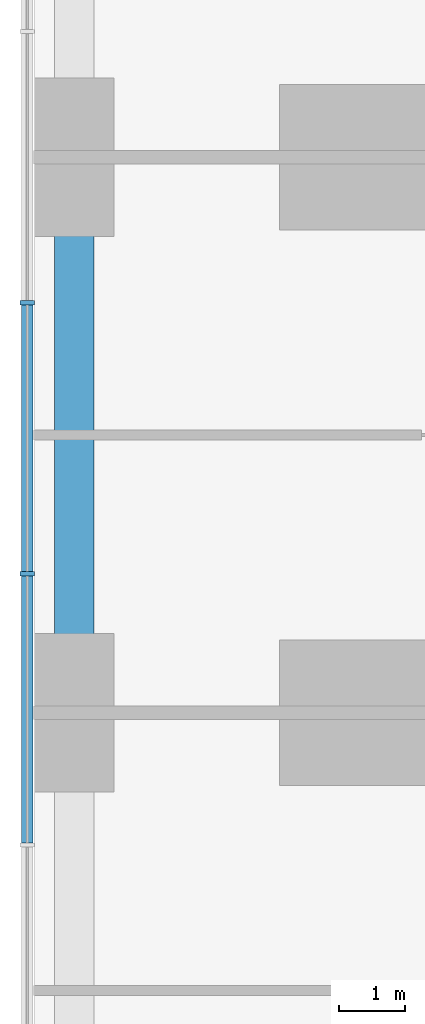
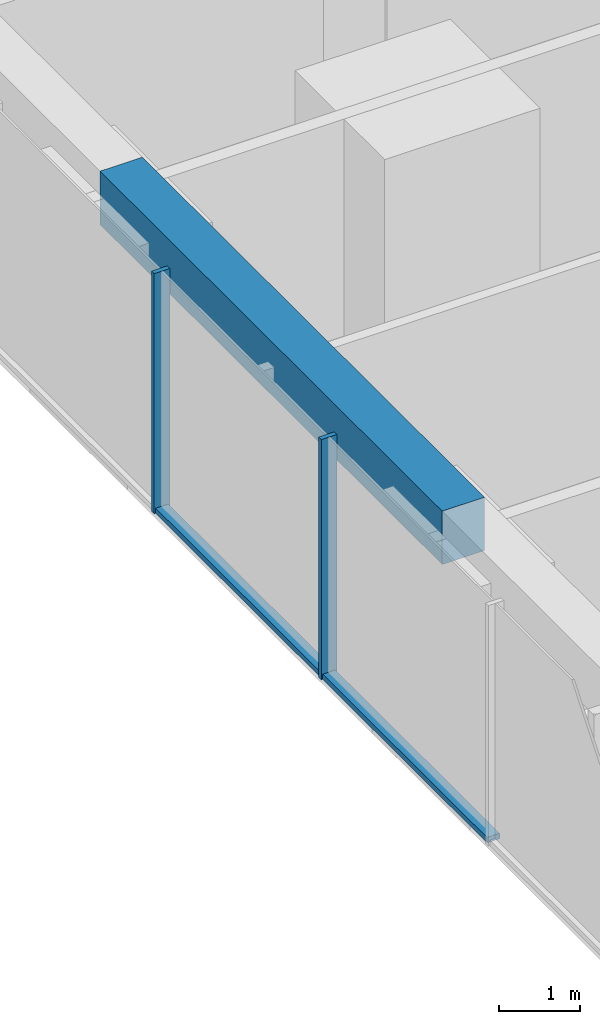
# One storey, part 3 of 16: 4 members, 1 beam, 1 element without a shape of its own.
"""IFC4 building model written with IfcOpenShell, lengths in metres."""

from ifc_helpers import new_model, si_unit, direction, frame, origin, origin_2d, place, context, subcontext, project, spatial, rectangle, extrude, material, material_profile, profile_set, type_object, element, aggregate, save


model = new_model("IFC4")

# Units and contexts
model_context = context("Model", 3, precision=1e-05, world=origin(), true_north=direction((0.0, 1.0)))
body_context = subcontext(model_context, "Body", "Model", "MODEL_VIEW")
ifc_project = project(units=[si_unit("LENGTHUNIT", "METRE"), si_unit("AREAUNIT", "SQUARE_METRE"), si_unit("VOLUMEUNIT", "CUBIC_METRE"), si_unit("PLANEANGLEUNIT", "RADIAN"), si_unit("MASSUNIT", "GRAM", prefix="KILO")], contexts=[model_context])

# Site, building, storey
site_placement = place(None, origin())
site = spatial("IfcSite", under=ifc_project, at=site_placement, CompositionType="ELEMENT")
building_placement = place(site_placement, origin())
building = spatial("IfcBuilding", under=site, at=building_placement, Name="Dunama Terrace Hotel", CompositionType="ELEMENT")
storey_placement = place(building_placement, frame((0.0, 0.0, 93.60009765625)))
storey = spatial("IfcBuildingStorey", under=building, at=storey_placement, Name="L23", CompositionType="ELEMENT", Elevation=93.60009765625)

# Curtain wall, members
ifc_material_1 = material(Name="Aluminium curtain wall system", Category="aluminium")
curtain_wall_type = type_object("IfcCurtainWallType", Name="Unitised fritted glass wall CW-B", PredefinedType="NOTDEFINED", material=ifc_material_1)
curtain_wall_placement = place(storey_placement, origin())
curtain_wall = element("IfcCurtainWall", 1, at=curtain_wall_placement, inside=storey, type_object=curtain_wall_type, Name="Unitised fritted glass wall CW-B L23", PredefinedType="NOTDEFINED")
ifc_material_2 = material(Name="Aluminium mullion", Category="aluminium")
ifc_material_profile_1 = material_profile(ifc_material_2, rectangle(XDim=0.06494140625, YDim=0.219970703125, at=origin_2d()), Name="CWB MULLION 65X220")
ifc_profile_set_1 = profile_set([ifc_material_profile_1], Name="Aluminium mullion")
member_type_1 = type_object("IfcMemberType", Name="CWB mullion 65x220", PredefinedType="MULLION", material=ifc_profile_set_1)
member_1_placement = place(storey_placement, frame((-0.110107421875, 31.39990234375, 0.0), z_axis=(0.0, 0.0, 1.0), x_axis=(0.0, -1.0, 0.0)))
member_1 = element("IfcMember", 2, at=member_1_placement, type_object=member_type_1, Name="CWB mullion", PredefinedType="MULLION", context=body_context, shape_type="SweptSolid", body=[
    extrude(rectangle(XDim=0.06494140625, YDim=0.219970703125, at=origin_2d()), origin(), (0.0, 0.0, 1.0), 3.599853515625),
])
member_2_placement = place(storey_placement, frame((-0.110107421875, 27.300048828125, 0.0), z_axis=(0.0, 0.0, 1.0), x_axis=(0.0, -1.0, 0.0)))
member_2 = element("IfcMember", 3, at=member_2_placement, type_object=member_type_1, Name="CWB mullion", PredefinedType="MULLION", context=body_context, shape_type="SweptSolid", body=[
    extrude(rectangle(XDim=0.06494140625, YDim=0.219970703125, at=origin_2d()), origin(), (0.0, 0.0, 1.0), 3.599853515625),
])
ifc_material_3 = material(Name="Aluminium transom", Category="aluminium")
ifc_material_profile_2 = material_profile(ifc_material_3, rectangle(XDim=0.179931640625, YDim=0.080078125, at=origin_2d()), Name="CWB TRANSOM 180X80")
ifc_profile_set_2 = profile_set([ifc_material_profile_2], Name="Aluminium transom")
member_type_2 = type_object("IfcMemberType", Name="CWB transom 180x80", PredefinedType="USERDEFINED", material=ifc_profile_set_2)
member_3_placement = place(storey_placement, frame((-0.110107421875, 31.366943359375, 0.039794921875), z_axis=(0.0, -1.0, 0.0), x_axis=(1.0, 0.0, 0.0)))
member_3 = element("IfcMember", 4, at=member_3_placement, type_object=member_type_2, Name="CWB transom", ObjectType="TRANSOM", PredefinedType="USERDEFINED", context=body_context, shape_type="SweptSolid", body=[
    extrude(rectangle(XDim=0.179931640625, YDim=0.080078125, at=origin_2d()), origin(), (0.0, 0.0, 1.0), 4.034912109375),
])
member_4_placement = place(storey_placement, frame((-0.110107421875, 27.26806640625, 0.039794921875), z_axis=(0.0, -1.0, 0.0), x_axis=(1.0, 0.0, 0.0)))
member_4 = element("IfcMember", 5, at=member_4_placement, type_object=member_type_2, Name="CWB transom", ObjectType="TRANSOM", PredefinedType="USERDEFINED", context=body_context, shape_type="SweptSolid", body=[
    extrude(rectangle(XDim=0.179931640625, YDim=0.080078125, at=origin_2d()), origin(), (0.0, 0.0, 1.0), 4.03515625),
])
aggregate(curtain_wall, [member_1, member_2, member_3, member_4])

# Beam
ifc_material_4 = material(Name="Concrete C40/50", Category="concrete")
ifc_material_profile_3 = material_profile(ifc_material_4, rectangle(XDim=0.60009765625, YDim=0.800048828125, at=origin_2d()), Name="RC 600x800")
ifc_profile_set_3 = profile_set([ifc_material_profile_3], Name="Concrete C40/50")
beam_type = type_object("IfcBeamType", Name="Edge beam RC 600x800", PredefinedType="SPANDREL", material=ifc_profile_set_3)
beam_placement = place(storey_placement, frame((0.60009765625, 25.199951171875, 3.199951171875), z_axis=(0.0, 1.0, 0.0), x_axis=(-1.0, 0.0, 0.0)))
element("IfcBeam", 6, at=beam_placement, inside=storey, type_object=beam_type, Name="Edge beam under L24", PredefinedType="SPANDREL", context=body_context, shape_type="SweptSolid", body=[
    extrude(rectangle(XDim=0.60009765625, YDim=0.800048828125, at=origin_2d()), origin(), (0.0, 0.0, 1.0), 8.400146484375),
])

save(model, "model.ifc")
